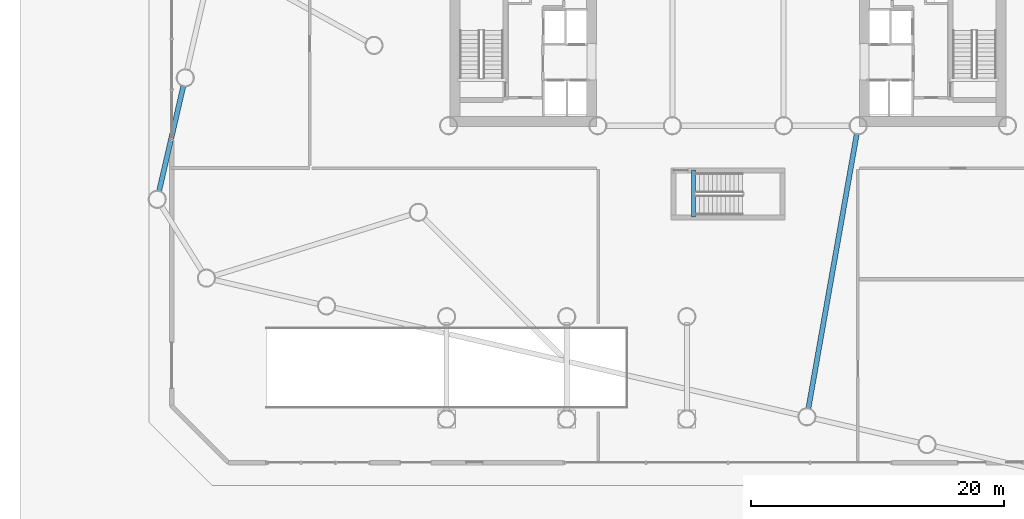
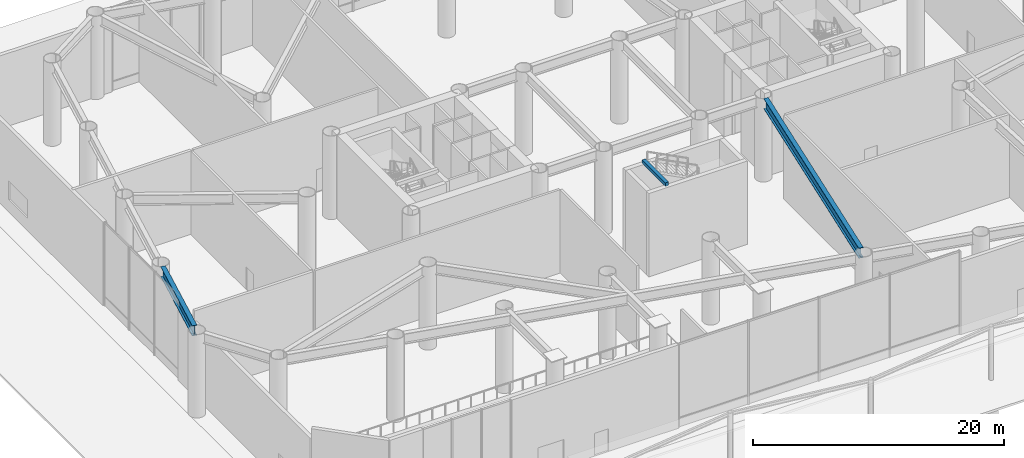
# One storey, part 12 of 28: 3 beams.
"""IFC4 building model written with IfcOpenShell, lengths in metres."""

from ifc_helpers import new_model, si_unit, direction, frame, origin, origin_2d, place, context, subcontext, project, spatial, rectangle, i_section, extrude, material, material_profile, profile_set, type_object, element, save


model = new_model("IFC4")

# Units and contexts
model_context = context("Model", 3, precision=1e-05, world=origin(), true_north=direction((0.0, 1.0)))
body_context = subcontext(model_context, "Body", "Model", "MODEL_VIEW")
ifc_project = project(units=[si_unit("LENGTHUNIT", "METRE"), si_unit("AREAUNIT", "SQUARE_METRE"), si_unit("VOLUMEUNIT", "CUBIC_METRE"), si_unit("PLANEANGLEUNIT", "RADIAN"), si_unit("MASSUNIT", "GRAM", prefix="KILO")], contexts=[model_context])

# Site, building, storey
site_placement = place(None, origin())
site = spatial("IfcSite", under=ifc_project, at=site_placement, CompositionType="ELEMENT")
building_placement = place(site_placement, origin())
building = spatial("IfcBuilding", under=site, at=building_placement, Name="Tavrogorsk Clinical Tower", CompositionType="ELEMENT")
storey_placement = place(building_placement, origin())
storey = spatial("IfcBuildingStorey", under=building, at=storey_placement, Name="L00", CompositionType="ELEMENT", Elevation=0.0)

# Beams
ifc_material_1 = material(Name="Concrete B60", Category="concrete")
ifc_material_profile_1 = material_profile(ifc_material_1, rectangle(XDim=0.300048828125, YDim=0.35009765625, at=origin_2d()), Name="RC-SHB-300x350")
ifc_profile_set_1 = profile_set([ifc_material_profile_1], Name="Concrete B60")
beam_type_1 = type_object("IfcBeamType", Name="StairHeaderBeam_RC300x350", PredefinedType="BEAM", material=ifc_profile_set_1)
beam_1_placement = place(storey_placement, frame((-2.719970703125, -13.550048828125, 8.22509765625), z_axis=(0.0, 1.0, 0.0), x_axis=(-1.0, 0.0, 0.0)))
element("IfcBeam", 1, at=beam_1_placement, inside=storey, type_object=beam_type_1, Name="L01 ST-P Landing Header Beam", PredefinedType="BEAM", context=body_context, shape_type="SweptSolid", body=[
    extrude(rectangle(XDim=0.300048828125, YDim=0.35009765625, at=origin_2d()), origin(), (0.0, 0.0, 1.0), 3.699951171875),
])
ifc_material_2 = material(Name="Structural steel S440", Category="steel")
ifc_material_profile_2 = material_profile(ifc_material_2, i_section(OverallWidth=0.39990234375, OverallDepth=1.0, WebThickness=0.028076171875, FlangeThickness=0.044921875, at=origin_2d()), Name="DK-1000x400x28x45")
ifc_profile_set_2 = profile_set([ifc_material_profile_2], Name="Structural steel S440")
beam_type_2 = type_object("IfcBeamType", Name="TransferGirder_DK1000", PredefinedType="USERDEFINED", material=ifc_profile_set_2)
beam_2_placement = place(storey_placement, frame((-43.069580078125, -3.166259765625, 7.60009765625), z_axis=(-0.224962929056, -0.974367323216, 0.0), x_axis=(0.974367323216, -0.224962929056, 0.0)))
element("IfcBeam", 2, at=beam_2_placement, inside=storey, type_object=beam_type_2, Name="L00 Perimeter Stilt Ring Girder W4-W5", ObjectType="GIRDER", PredefinedType="USERDEFINED", context=body_context, shape_type="SweptSolid", body=[
    extrude(i_section(OverallWidth=0.39990234375, OverallDepth=1.0, WebThickness=0.028076171875, FlangeThickness=0.044921875, at=origin_2d()), origin(), (0.0, 0.0, 1.0), 8.6201171875),
])
beam_3_placement = place(storey_placement, frame((10.1923828125, -6.960693359375, 7.60009765625), z_axis=(-0.17359216753, -0.984817627468, 0.0), x_axis=(0.984817627468, -0.17359216753, 0.0)))
element("IfcBeam", 3, at=beam_3_placement, inside=storey, type_object=beam_type_2, Name="L00 Radial Podium Girder S6", ObjectType="GIRDER", PredefinedType="USERDEFINED", context=body_context, shape_type="SweptSolid", body=[
    extrude(i_section(OverallWidth=0.39990234375, OverallDepth=1.0, WebThickness=0.028076171875, FlangeThickness=0.044921875, at=origin_2d()), origin(), (0.0, 0.0, 1.0), 22.135498046875),
])

save(model, "model.ifc")
